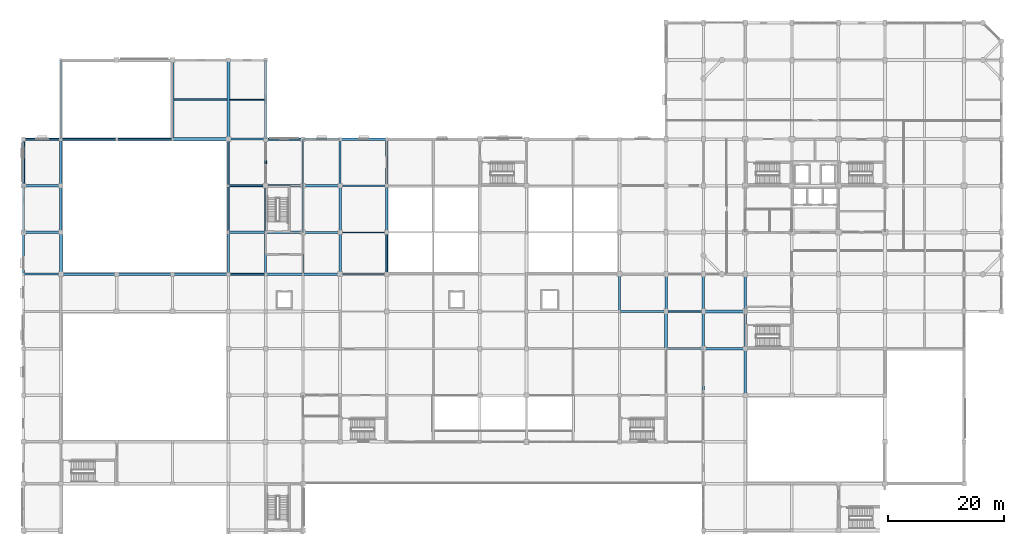
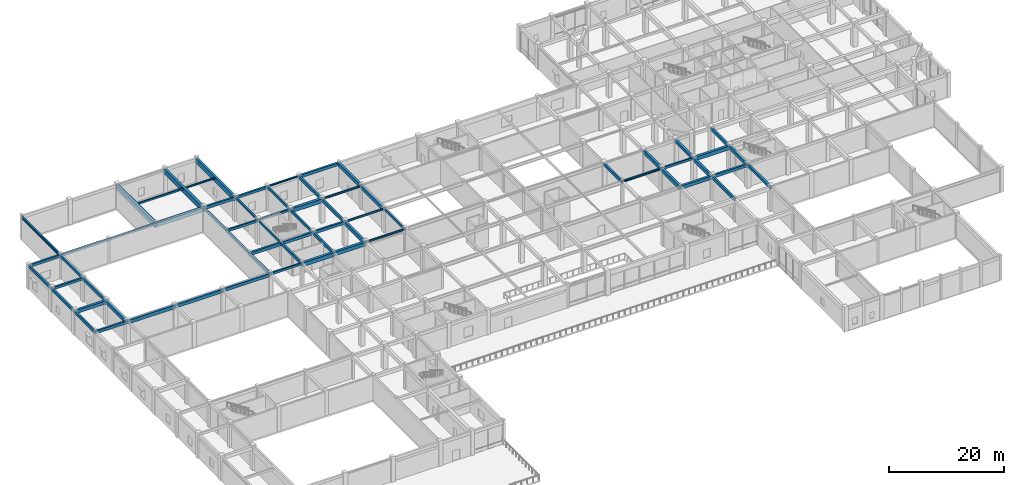
# One storey, part 10 of 36: 67 beams.
"""IFC4 building model written with IfcOpenShell, lengths in metres."""

from ifc_helpers import new_model, si_unit, direction, frame, origin, origin_2d, place, context, subcontext, project, spatial, rectangle, i_section, extrude, material, material_profile, profile_set, type_object, element, save


model = new_model("IFC4")

# Units and contexts
model_context = context("Model", 3, precision=1e-05, world=origin(), true_north=direction((0.0, 1.0)))
body_context = subcontext(model_context, "Body", "Model", "MODEL_VIEW")
ifc_project = project(units=[si_unit("LENGTHUNIT", "METRE"), si_unit("AREAUNIT", "SQUARE_METRE"), si_unit("VOLUMEUNIT", "CUBIC_METRE"), si_unit("PLANEANGLEUNIT", "RADIAN"), si_unit("MASSUNIT", "GRAM", prefix="KILO")], contexts=[model_context])

# Site, building, storey
site_placement = place(None, origin())
site = spatial("IfcSite", under=ifc_project, at=site_placement, CompositionType="ELEMENT")
building_placement = place(site_placement, origin())
building = spatial("IfcBuilding", under=site, at=building_placement, Name="Vellmiral Cinema and Media Centre", CompositionType="ELEMENT")
storey_placement = place(building_placement, frame((0.0, 0.0, 5.39990234375)))
storey = spatial("IfcBuildingStorey", under=building, at=storey_placement, Name="L01", CompositionType="ELEMENT", Elevation=5.39990234375)

# Beams
ifc_material_1 = material(Name="Concrete C40/50", Category="concrete")
ifc_material_profile_1 = material_profile(ifc_material_1, rectangle(XDim=0.300048828125, YDim=0.449951171875, at=origin_2d()), Name="RC 300x450")
ifc_profile_set_1 = profile_set([ifc_material_profile_1], Name="Concrete C40/50")
beam_type_1 = type_object("IfcBeamType", Name="BM-RC-300x450", PredefinedType="BEAM", material=ifc_profile_set_1)
for number, where, z_axis, x_axis, name in (
    (1, (110.39990234375, 65.60009765625, 4.81005859375), (1.0, 0.0, 0.0), (0.0, 1.0, 0.0), "Grid Beam L01-X084"),
    (2, (35.199951171875, 72.0, 4.81005859375), (1.0, 0.0, 0.0), (0.0, 1.0, 0.0), "Grid Beam L01-X095"),
):
    element("IfcBeam", number, at=place(storey_placement, frame(where, z_axis=z_axis, x_axis=x_axis)), inside=storey, type_object=beam_type_1, Name=name, PredefinedType="BEAM", context=body_context, shape_type="SweptSolid", body=[
        extrude(rectangle(XDim=0.300048828125, YDim=0.449951171875, at=origin_2d()), origin(), (0.0, 0.0, 1.0), 6.400146484375),
    ])
beam_1_placement = place(storey_placement, frame((41.60009765625, 87.199951171875, 4.81005859375), z_axis=(1.0, 0.0, 0.0), x_axis=(0.0, 1.0, 0.0)))
element("IfcBeam", 3, at=beam_1_placement, inside=storey, type_object=beam_type_1, Name="Grid Beam L01-X128", PredefinedType="BEAM", context=body_context, shape_type="SweptSolid", body=[
    extrude(rectangle(XDim=0.300048828125, YDim=0.449951171875, at=origin_2d()), origin(), (0.0, 0.0, 1.0), 6.39990234375),
])
beam_2_placement = place(storey_placement, frame((16.0, 95.199951171875, 4.81005859375), z_axis=(1.0, 0.0, 0.0), x_axis=(0.0, 1.0, 0.0)))
element("IfcBeam", 4, at=beam_2_placement, inside=storey, type_object=beam_type_1, Name="Grid Beam L01-X144", PredefinedType="BEAM", context=body_context, shape_type="SweptSolid", body=[
    extrude(rectangle(XDim=0.300048828125, YDim=0.449951171875, at=origin_2d()), origin(), (0.0, 0.0, 1.0), 9.60009765625),
])
for number, where, z_axis, x_axis, name in (
    (5, (35.199951171875, 87.199951171875, 4.81005859375), (0.0, 1.0, 0.0), (-1.0, 0.0, 0.0), "Grid Beam L01-Y213"),
    (6, (41.60009765625, 87.199951171875, 4.81005859375), (0.0, 1.0, 0.0), (-1.0, 0.0, 0.0), "Grid Beam L01-Y224"),
    (7, (48.0, 87.199951171875, 4.81005859375), (0.0, 1.0, 0.0), (-1.0, 0.0, 0.0), "Grid Beam L01-Y235"),
):
    element("IfcBeam", number, at=place(storey_placement, frame(where, z_axis=z_axis, x_axis=x_axis)), inside=storey, type_object=beam_type_1, Name=name, PredefinedType="BEAM", context=body_context, shape_type="SweptSolid", body=[
        extrude(rectangle(XDim=0.300048828125, YDim=0.449951171875, at=origin_2d()), origin(), (0.0, 0.0, 1.0), 8.0),
    ])
ifc_material_2 = material(Name="Concrete C40/50", Category="concrete")
ifc_material_profile_2 = material_profile(ifc_material_2, rectangle(XDim=0.300048828125, YDim=0.5, at=origin_2d()), Name="RC 300x500")
ifc_profile_set_2 = profile_set([ifc_material_profile_2], Name="Concrete C40/50")
beam_type_2 = type_object("IfcBeamType", Name="BM-RC-300x500", PredefinedType="BEAM", material=ifc_profile_set_2)
beam_3_placement = place(storey_placement, frame((35.199951171875, 87.199951171875, 4.78515625), z_axis=(1.0, 0.0, 0.0), x_axis=(0.0, 1.0, 0.0)))
element("IfcBeam", 8, at=beam_3_placement, inside=storey, type_object=beam_type_2, Name="Grid Beam L01-X127", PredefinedType="BEAM", context=body_context, shape_type="SweptSolid", body=[
    extrude(rectangle(XDim=0.300048828125, YDim=0.5, at=origin_2d()), origin(), (0.0, 0.0, 1.0), 6.400146484375),
])
beam_4_placement = place(storey_placement, frame((6.39990234375, 95.199951171875, 4.78515625), z_axis=(1.0, 0.0, 0.0), x_axis=(0.0, 1.0, 0.0)))
element("IfcBeam", 9, at=beam_4_placement, inside=storey, type_object=beam_type_2, Name="Grid Beam L01-X143", PredefinedType="BEAM", context=body_context, shape_type="SweptSolid", body=[
    extrude(rectangle(XDim=0.300048828125, YDim=0.5, at=origin_2d()), origin(), (0.0, 0.0, 1.0), 9.60009765625),
])
for number, where, z_axis, x_axis, name in (
    (10, (35.199951171875, 79.199951171875, 4.78515625), (0.0, 1.0, 0.0), (-1.0, 0.0, 0.0), "Grid Beam L01-Y212"),
    (11, (41.60009765625, 79.199951171875, 4.78515625), (0.0, 1.0, 0.0), (-1.0, 0.0, 0.0), "Grid Beam L01-Y223"),
    (12, (48.0, 79.199951171875, 4.78515625), (0.0, 1.0, 0.0), (-1.0, 0.0, 0.0), "Grid Beam L01-Y234"),
):
    element("IfcBeam", number, at=place(storey_placement, frame(where, z_axis=z_axis, x_axis=x_axis)), inside=storey, type_object=beam_type_2, Name=name, PredefinedType="BEAM", context=body_context, shape_type="SweptSolid", body=[
        extrude(rectangle(XDim=0.300048828125, YDim=0.5, at=origin_2d()), origin(), (0.0, 0.0, 1.0), 8.0),
    ])
beam_5_placement = place(storey_placement, frame((62.39990234375, 72.0, 4.78515625), z_axis=(0.0, 1.0, 0.0), x_axis=(-1.0, 0.0, 0.0)))
element("IfcBeam", 13, at=beam_5_placement, inside=storey, type_object=beam_type_2, Name="Grid Beam L01-Y247", PredefinedType="BEAM", context=body_context, shape_type="SweptSolid", body=[
    extrude(rectangle(XDim=0.300048828125, YDim=0.5, at=origin_2d()), origin(), (0.0, 0.0, 1.0), 7.199951171875),
])
ifc_material_3 = material(Name="Concrete C40/50", Category="concrete")
ifc_material_profile_3 = material_profile(ifc_material_3, rectangle(XDim=0.35009765625, YDim=0.5, at=origin_2d()), Name="RC 350x500")
ifc_profile_set_3 = profile_set([ifc_material_profile_3], Name="Concrete C40/50")
beam_type_3 = type_object("IfcBeamType", Name="BM-RC-350x500", PredefinedType="BEAM", material=ifc_profile_set_3)
beam_6_placement = place(storey_placement, frame((0.0, 87.199951171875, 4.78515625), z_axis=(1.0, 0.0, 0.0), x_axis=(0.0, 1.0, 0.0)))
element("IfcBeam", 14, at=beam_6_placement, inside=storey, type_object=beam_type_3, Name="Grid Beam L01-X126", PredefinedType="BEAM", context=body_context, shape_type="SweptSolid", body=[
    extrude(rectangle(XDim=0.35009765625, YDim=0.5, at=origin_2d()), origin(), (0.0, 0.0, 1.0), 6.39990234375),
])
ifc_material_4 = material(Name="Concrete C40/50", Category="concrete")
ifc_material_profile_4 = material_profile(ifc_material_4, rectangle(XDim=0.35009765625, YDim=0.60009765625, at=origin_2d()), Name="RC 350x600")
ifc_profile_set_4 = profile_set([ifc_material_profile_4], Name="Concrete C40/50")
beam_type_4 = type_object("IfcBeamType", Name="BM-RC-350x600", PredefinedType="BEAM", material=ifc_profile_set_4)
for number, where, z_axis, x_axis, name in (
    (15, (0.0, 72.0, 4.735107421875), (1.0, 0.0, 0.0), (0.0, 1.0, 0.0), "Grid Beam L01-X091"),
    (16, (48.0, 79.199951171875, 4.735107421875), (1.0, 0.0, 0.0), (0.0, 1.0, 0.0), "Grid Beam L01-X113"),
):
    element("IfcBeam", number, at=place(storey_placement, frame(where, z_axis=z_axis, x_axis=x_axis)), inside=storey, type_object=beam_type_4, Name=name, PredefinedType="BEAM", context=body_context, shape_type="SweptSolid", body=[
        extrude(rectangle(XDim=0.35009765625, YDim=0.60009765625, at=origin_2d()), origin(), (0.0, 0.0, 1.0), 6.39990234375),
    ])
beam_7_placement = place(storey_placement, frame((35.199951171875, 95.199951171875, 4.735107421875), z_axis=(1.0, 0.0, 0.0), x_axis=(0.0, 1.0, 0.0)))
element("IfcBeam", 17, at=beam_7_placement, inside=storey, type_object=beam_type_4, Name="Grid Beam L01-X146", PredefinedType="BEAM", context=body_context, shape_type="SweptSolid", body=[
    extrude(rectangle(XDim=0.35009765625, YDim=0.60009765625, at=origin_2d()), origin(), (0.0, 0.0, 1.0), 6.400146484375),
])
for number, where, z_axis, x_axis, name in (
    (18, (35.199951171875, 72.0, 4.735107421875), (0.0, 1.0, 0.0), (-1.0, 0.0, 0.0), "Grid Beam L01-Y211"),
    (19, (41.60009765625, 72.0, 4.735107421875), (0.0, 1.0, 0.0), (-1.0, 0.0, 0.0), "Grid Beam L01-Y222"),
    (20, (48.0, 72.0, 4.735107421875), (0.0, 1.0, 0.0), (-1.0, 0.0, 0.0), "Grid Beam L01-Y233"),
):
    element("IfcBeam", number, at=place(storey_placement, frame(where, z_axis=z_axis, x_axis=x_axis)), inside=storey, type_object=beam_type_4, Name=name, PredefinedType="BEAM", context=body_context, shape_type="SweptSolid", body=[
        extrude(rectangle(XDim=0.35009765625, YDim=0.60009765625, at=origin_2d()), origin(), (0.0, 0.0, 1.0), 7.199951171875),
    ])
beam_8_placement = place(storey_placement, frame((54.39990234375, 87.199951171875, 4.735107421875), z_axis=(0.0, 1.0, 0.0), x_axis=(-1.0, 0.0, 0.0)))
element("IfcBeam", 21, at=beam_8_placement, inside=storey, type_object=beam_type_4, Name="Grid Beam L01-Y242", PredefinedType="BEAM", context=body_context, shape_type="SweptSolid", body=[
    extrude(rectangle(XDim=0.35009765625, YDim=0.60009765625, at=origin_2d()), origin(), (0.0, 0.0, 1.0), 8.0),
])
beam_9_placement = place(storey_placement, frame((102.39990234375, 65.60009765625, 4.735107421875), z_axis=(0.0, 1.0, 0.0), x_axis=(-1.0, 0.0, 0.0)))
element("IfcBeam", 22, at=beam_9_placement, inside=storey, type_object=beam_type_4, Name="Grid Beam L01-Y267", PredefinedType="BEAM", context=body_context, shape_type="SweptSolid", body=[
    extrude(rectangle(XDim=0.35009765625, YDim=0.60009765625, at=origin_2d()), origin(), (0.0, 0.0, 1.0), 6.39990234375),
])
ifc_material_5 = material(Name="Concrete C40/50", Category="concrete")
ifc_material_profile_5 = material_profile(ifc_material_5, rectangle(XDim=0.39990234375, YDim=0.60009765625, at=origin_2d()), Name="RC 400x600")
ifc_profile_set_5 = profile_set([ifc_material_profile_5], Name="Concrete C40/50")
beam_type_5 = type_object("IfcBeamType", Name="BM-RC-400x600", PredefinedType="BEAM", material=ifc_profile_set_5)
beam_10_placement = place(storey_placement, frame((116.800048828125, 59.199951171875, 4.735107421875), z_axis=(1.0, 0.0, 0.0), x_axis=(0.0, 1.0, 0.0)))
element("IfcBeam", 23, at=beam_10_placement, inside=storey, type_object=beam_type_5, Name="Grid Beam L01-X067", PredefinedType="BEAM", context=body_context, shape_type="SweptSolid", body=[
    extrude(rectangle(XDim=0.39990234375, YDim=0.60009765625, at=origin_2d()), origin(), (0.0, 0.0, 1.0), 7.199951171875),
])
beam_11_placement = place(storey_placement, frame((41.60009765625, 79.199951171875, 4.735107421875), z_axis=(1.0, 0.0, 0.0), x_axis=(0.0, 1.0, 0.0)))
element("IfcBeam", 24, at=beam_11_placement, inside=storey, type_object=beam_type_5, Name="Grid Beam L01-X112", PredefinedType="BEAM", context=body_context, shape_type="SweptSolid", body=[
    extrude(rectangle(XDim=0.39990234375, YDim=0.60009765625, at=origin_2d()), origin(), (0.0, 0.0, 1.0), 6.39990234375),
])
for number, where, z_axis, x_axis, name in (
    (25, (6.39990234375, 87.199951171875, 4.735107421875), (0.0, 1.0, 0.0), (-1.0, 0.0, 0.0), "Grid Beam L01-Y197"),
    (26, (54.39990234375, 79.199951171875, 4.735107421875), (0.0, 1.0, 0.0), (-1.0, 0.0, 0.0), "Grid Beam L01-Y241"),
    (27, (124.0, 51.199951171875, 4.735107421875), (0.0, 1.0, 0.0), (-1.0, 0.0, 0.0), "Grid Beam L01-Y296"),
):
    element("IfcBeam", number, at=place(storey_placement, frame(where, z_axis=z_axis, x_axis=x_axis)), inside=storey, type_object=beam_type_5, Name=name, PredefinedType="BEAM", context=body_context, shape_type="SweptSolid", body=[
        extrude(rectangle(XDim=0.39990234375, YDim=0.60009765625, at=origin_2d()), origin(), (0.0, 0.0, 1.0), 8.0),
    ])
ifc_material_6 = material(Name="Concrete C40/50", Category="concrete")
ifc_material_profile_6 = material_profile(ifc_material_6, rectangle(XDim=0.39990234375, YDim=0.64990234375, at=origin_2d()), Name="RC 400x650")
ifc_profile_set_6 = profile_set([ifc_material_profile_6], Name="Concrete C40/50")
beam_type_6 = type_object("IfcBeamType", Name="BM-RC-400x650", PredefinedType="BEAM", material=ifc_profile_set_6)
beam_12_placement = place(storey_placement, frame((25.60009765625, 72.0, 4.710205078125), z_axis=(1.0, 0.0, 0.0), x_axis=(0.0, 1.0, 0.0)))
element("IfcBeam", 28, at=beam_12_placement, inside=storey, type_object=beam_type_6, Name="Grid Beam L01-X094", PredefinedType="BEAM", context=body_context, shape_type="SweptSolid", body=[
    extrude(rectangle(XDim=0.39990234375, YDim=0.64990234375, at=origin_2d()), origin(), (0.0, 0.0, 1.0), 9.599853515625),
])
beam_13_placement = place(storey_placement, frame((35.199951171875, 79.199951171875, 4.710205078125), z_axis=(1.0, 0.0, 0.0), x_axis=(0.0, 1.0, 0.0)))
element("IfcBeam", 29, at=beam_13_placement, inside=storey, type_object=beam_type_6, Name="Grid Beam L01-X111", PredefinedType="BEAM", context=body_context, shape_type="SweptSolid", body=[
    extrude(rectangle(XDim=0.39990234375, YDim=0.64990234375, at=origin_2d()), origin(), (0.0, 0.0, 1.0), 6.400146484375),
])
for number, where, z_axis, x_axis, name in (
    (30, (6.39990234375, 79.199951171875, 4.710205078125), (0.0, 1.0, 0.0), (-1.0, 0.0, 0.0), "Grid Beam L01-Y196"),
    (31, (116.800048828125, 51.199951171875, 4.710205078125), (0.0, 1.0, 0.0), (-1.0, 0.0, 0.0), "Grid Beam L01-Y284"),
):
    element("IfcBeam", number, at=place(storey_placement, frame(where, z_axis=z_axis, x_axis=x_axis)), inside=storey, type_object=beam_type_6, Name=name, PredefinedType="BEAM", context=body_context, shape_type="SweptSolid", body=[
        extrude(rectangle(XDim=0.39990234375, YDim=0.64990234375, at=origin_2d()), origin(), (0.0, 0.0, 1.0), 8.0),
    ])
beam_14_placement = place(storey_placement, frame((124.0, 65.60009765625, 4.710205078125), z_axis=(0.0, 1.0, 0.0), x_axis=(-1.0, 0.0, 0.0)))
element("IfcBeam", 32, at=beam_14_placement, inside=storey, type_object=beam_type_6, Name="Grid Beam L01-Y298", PredefinedType="BEAM", context=body_context, shape_type="SweptSolid", body=[
    extrude(rectangle(XDim=0.39990234375, YDim=0.64990234375, at=origin_2d()), origin(), (0.0, 0.0, 1.0), 6.39990234375),
])
ifc_material_7 = material(Name="Concrete C40/50", Category="concrete")
ifc_material_profile_7 = material_profile(ifc_material_7, rectangle(XDim=0.449951171875, YDim=0.699951171875, at=origin_2d()), Name="RC 450x700")
ifc_profile_set_7 = profile_set([ifc_material_profile_7], Name="Concrete C40/50")
beam_type_7 = type_object("IfcBeamType", Name="BM-RC-450x700", PredefinedType="BEAM", material=ifc_profile_set_7)
beam_15_placement = place(storey_placement, frame((110.39990234375, 59.199951171875, 4.68505859375), z_axis=(1.0, 0.0, 0.0), x_axis=(0.0, 1.0, 0.0)))
element("IfcBeam", 33, at=beam_15_placement, inside=storey, type_object=beam_type_7, Name="Grid Beam L01-X066", PredefinedType="BEAM", context=body_context, shape_type="SweptSolid", body=[
    extrude(rectangle(XDim=0.449951171875, YDim=0.699951171875, at=origin_2d()), origin(), (0.0, 0.0, 1.0), 6.400146484375),
])
beam_16_placement = place(storey_placement, frame((16.0, 72.0, 4.68505859375), z_axis=(1.0, 0.0, 0.0), x_axis=(0.0, 1.0, 0.0)))
element("IfcBeam", 34, at=beam_16_placement, inside=storey, type_object=beam_type_7, Name="Grid Beam L01-X093", PredefinedType="BEAM", context=body_context, shape_type="SweptSolid", body=[
    extrude(rectangle(XDim=0.449951171875, YDim=0.699951171875, at=origin_2d()), origin(), (0.0, 0.0, 1.0), 9.60009765625),
])
for number, where, z_axis, x_axis, name in (
    (35, (0.0, 79.199951171875, 4.68505859375), (1.0, 0.0, 0.0), (0.0, 1.0, 0.0), "Grid Beam L01-X110"),
    (36, (116.800048828125, 65.60009765625, 4.68505859375), (0.0, 1.0, 0.0), (-1.0, 0.0, 0.0), "Grid Beam L01-Y286"),
):
    element("IfcBeam", number, at=place(storey_placement, frame(where, z_axis=z_axis, x_axis=x_axis)), inside=storey, type_object=beam_type_7, Name=name, PredefinedType="BEAM", context=body_context, shape_type="SweptSolid", body=[
        extrude(rectangle(XDim=0.449951171875, YDim=0.699951171875, at=origin_2d()), origin(), (0.0, 0.0, 1.0), 6.39990234375),
    ])
beam_17_placement = place(storey_placement, frame((124.0, 59.199951171875, 4.68505859375), z_axis=(0.0, 1.0, 0.0), x_axis=(-1.0, 0.0, 0.0)))
element("IfcBeam", 37, at=beam_17_placement, inside=storey, type_object=beam_type_7, Name="Grid Beam L01-Y297", PredefinedType="BEAM", context=body_context, shape_type="SweptSolid", body=[
    extrude(rectangle(XDim=0.449951171875, YDim=0.699951171875, at=origin_2d()), origin(), (0.0, 0.0, 1.0), 6.400146484375),
])
ifc_material_8 = material(Name="Concrete C40/50", Category="concrete")
ifc_material_profile_8 = material_profile(ifc_material_8, rectangle(XDim=0.449951171875, YDim=0.75, at=origin_2d()), Name="RC 450x750")
ifc_profile_set_8 = profile_set([ifc_material_profile_8], Name="Concrete C40/50")
beam_type_8 = type_object("IfcBeamType", Name="BM-RC-450x750", PredefinedType="BEAM", material=ifc_profile_set_8)
beam_18_placement = place(storey_placement, frame((6.39990234375, 72.0, 4.66015625), z_axis=(1.0, 0.0, 0.0), x_axis=(0.0, 1.0, 0.0)))
element("IfcBeam", 38, at=beam_18_placement, inside=storey, type_object=beam_type_8, Name="Grid Beam L01-X092", PredefinedType="BEAM", context=body_context, shape_type="SweptSolid", body=[
    extrude(rectangle(XDim=0.449951171875, YDim=0.75, at=origin_2d()), origin(), (0.0, 0.0, 1.0), 9.60009765625),
])
beam_19_placement = place(storey_placement, frame((54.39990234375, 72.0, 4.66015625), z_axis=(0.0, 1.0, 0.0), x_axis=(-1.0, 0.0, 0.0)))
element("IfcBeam", 39, at=beam_19_placement, inside=storey, type_object=beam_type_8, Name="Grid Beam L01-Y240", PredefinedType="BEAM", context=body_context, shape_type="SweptSolid", body=[
    extrude(rectangle(XDim=0.449951171875, YDim=0.75, at=origin_2d()), origin(), (0.0, 0.0, 1.0), 7.199951171875),
])
beam_20_placement = place(storey_placement, frame((62.39990234375, 87.199951171875, 4.66015625), z_axis=(0.0, 1.0, 0.0), x_axis=(-1.0, 0.0, 0.0)))
element("IfcBeam", 40, at=beam_20_placement, inside=storey, type_object=beam_type_8, Name="Grid Beam L01-Y249", PredefinedType="BEAM", context=body_context, shape_type="SweptSolid", body=[
    extrude(rectangle(XDim=0.449951171875, YDim=0.75, at=origin_2d()), origin(), (0.0, 0.0, 1.0), 8.0),
])
beam_21_placement = place(storey_placement, frame((110.39990234375, 65.60009765625, 4.66015625), z_axis=(0.0, 1.0, 0.0), x_axis=(-1.0, 0.0, 0.0)))
element("IfcBeam", 41, at=beam_21_placement, inside=storey, type_object=beam_type_8, Name="Grid Beam L01-Y274", PredefinedType="BEAM", context=body_context, shape_type="SweptSolid", body=[
    extrude(rectangle(XDim=0.449951171875, YDim=0.75, at=origin_2d()), origin(), (0.0, 0.0, 1.0), 6.39990234375),
])
beam_22_placement = place(storey_placement, frame((116.800048828125, 59.199951171875, 4.66015625), z_axis=(0.0, 1.0, 0.0), x_axis=(-1.0, 0.0, 0.0)))
element("IfcBeam", 42, at=beam_22_placement, inside=storey, type_object=beam_type_8, Name="Grid Beam L01-Y285", PredefinedType="BEAM", context=body_context, shape_type="SweptSolid", body=[
    extrude(rectangle(XDim=0.449951171875, YDim=0.75, at=origin_2d()), origin(), (0.0, 0.0, 1.0), 6.400146484375),
])
ifc_material_9 = material(Name="Concrete C40/50", Category="concrete")
ifc_material_profile_9 = material_profile(ifc_material_9, rectangle(XDim=0.5, YDim=0.800048828125, at=origin_2d()), Name="RC 500x800")
ifc_profile_set_9 = profile_set([ifc_material_profile_9], Name="Concrete C40/50")
beam_type_9 = type_object("IfcBeamType", Name="BM-RC-500x800", PredefinedType="BEAM", material=ifc_profile_set_9)
beam_23_placement = place(storey_placement, frame((116.800048828125, 65.60009765625, 4.635009765625), z_axis=(1.0, 0.0, 0.0), x_axis=(0.0, 1.0, 0.0)))
element("IfcBeam", 43, at=beam_23_placement, inside=storey, type_object=beam_type_9, Name="Grid Beam L01-X085", PredefinedType="BEAM", context=body_context, shape_type="SweptSolid", body=[
    extrude(rectangle(XDim=0.5, YDim=0.800048828125, at=origin_2d()), origin(), (0.0, 0.0, 1.0), 7.199951171875),
])
beam_24_placement = place(storey_placement, frame((48.0, 72.0, 4.635009765625), z_axis=(1.0, 0.0, 0.0), x_axis=(0.0, 1.0, 0.0)))
element("IfcBeam", 44, at=beam_24_placement, inside=storey, type_object=beam_type_9, Name="Grid Beam L01-X097", PredefinedType="BEAM", context=body_context, shape_type="SweptSolid", body=[
    extrude(rectangle(XDim=0.5, YDim=0.800048828125, at=origin_2d()), origin(), (0.0, 0.0, 1.0), 6.39990234375),
])
beam_25_placement = place(storey_placement, frame((6.39990234375, 72.0, 4.635009765625), z_axis=(0.0, 1.0, 0.0), x_axis=(-1.0, 0.0, 0.0)))
element("IfcBeam", 45, at=beam_25_placement, inside=storey, type_object=beam_type_9, Name="Grid Beam L01-Y195", PredefinedType="BEAM", context=body_context, shape_type="SweptSolid", body=[
    extrude(rectangle(XDim=0.5, YDim=0.800048828125, at=origin_2d()), origin(), (0.0, 0.0, 1.0), 7.199951171875),
])
beam_26_placement = place(storey_placement, frame((62.39990234375, 79.199951171875, 4.635009765625), z_axis=(0.0, 1.0, 0.0), x_axis=(-1.0, 0.0, 0.0)))
element("IfcBeam", 46, at=beam_26_placement, inside=storey, type_object=beam_type_9, Name="Grid Beam L01-Y248", PredefinedType="BEAM", context=body_context, shape_type="SweptSolid", body=[
    extrude(rectangle(XDim=0.5, YDim=0.800048828125, at=origin_2d()), origin(), (0.0, 0.0, 1.0), 8.0),
])
beam_27_placement = place(storey_placement, frame((110.39990234375, 59.199951171875, 4.635009765625), z_axis=(0.0, 1.0, 0.0), x_axis=(-1.0, 0.0, 0.0)))
element("IfcBeam", 47, at=beam_27_placement, inside=storey, type_object=beam_type_9, Name="Grid Beam L01-Y273", PredefinedType="BEAM", context=body_context, shape_type="SweptSolid", body=[
    extrude(rectangle(XDim=0.5, YDim=0.800048828125, at=origin_2d()), origin(), (0.0, 0.0, 1.0), 6.400146484375),
])
ifc_material_10 = material(Name="Concrete C40/50", Category="concrete")
ifc_material_profile_10 = material_profile(ifc_material_10, rectangle(XDim=0.5, YDim=0.85009765625, at=origin_2d()), Name="RC 500x850")
ifc_profile_set_10 = profile_set([ifc_material_profile_10], Name="Concrete C40/50")
beam_type_10 = type_object("IfcBeamType", Name="BM-RC-500x850", PredefinedType="BEAM", material=ifc_profile_set_10)
for number, where, z_axis, x_axis, name in (
    (48, (41.60009765625, 72.0, 4.610107421875), (1.0, 0.0, 0.0), (0.0, 1.0, 0.0), "Grid Beam L01-X096"),
    (49, (48.0, 87.199951171875, 4.610107421875), (1.0, 0.0, 0.0), (0.0, 1.0, 0.0), "Grid Beam L01-X129"),
):
    element("IfcBeam", number, at=place(storey_placement, frame(where, z_axis=z_axis, x_axis=x_axis)), inside=storey, type_object=beam_type_10, Name=name, PredefinedType="BEAM", context=body_context, shape_type="SweptSolid", body=[
        extrude(rectangle(XDim=0.5, YDim=0.85009765625, at=origin_2d()), origin(), (0.0, 0.0, 1.0), 6.39990234375),
    ])
beam_28_placement = place(storey_placement, frame((25.60009765625, 95.199951171875, 4.610107421875), z_axis=(1.0, 0.0, 0.0), x_axis=(0.0, 1.0, 0.0)))
element("IfcBeam", 50, at=beam_28_placement, inside=storey, type_object=beam_type_10, Name="Grid Beam L01-X145", PredefinedType="BEAM", context=body_context, shape_type="SweptSolid", body=[
    extrude(rectangle(XDim=0.5, YDim=0.85009765625, at=origin_2d()), origin(), (0.0, 0.0, 1.0), 9.599853515625),
])
ifc_material_11 = material(Name="Concrete C40/50", Category="concrete")
ifc_material_profile_11 = material_profile(ifc_material_11, rectangle(XDim=0.5, YDim=1.050048828125, at=origin_2d()), Name="RC 500x1050")
ifc_profile_set_11 = profile_set([ifc_material_profile_11], Name="Concrete C40/50")
beam_type_11 = type_object("IfcBeamType", Name="BM-RCG-500x1050", PredefinedType="BEAM", material=ifc_profile_set_11)
for number, where, z_axis, x_axis, name in (
    (51, (25.60009765625, 95.199951171875, 4.510009765625), (0.0, 1.0, 0.0), (-1.0, 0.0, 0.0), "Grid Beam L01-Y203"),
    (52, (35.199951171875, 95.199951171875, 4.510009765625), (0.0, 1.0, 0.0), (-1.0, 0.0, 0.0), "Grid Beam L01-Y214"),
):
    element("IfcBeam", number, at=place(storey_placement, frame(where, z_axis=z_axis, x_axis=x_axis)), inside=storey, type_object=beam_type_11, Name=name, PredefinedType="BEAM", context=body_context, shape_type="SweptSolid", body=[
        extrude(rectangle(XDim=0.5, YDim=1.050048828125, at=origin_2d()), origin(), (0.0, 0.0, 1.0), 13.60009765625),
    ])
ifc_material_12 = material(Name="Concrete C40/50", Category="concrete")
ifc_material_profile_12 = material_profile(ifc_material_12, rectangle(XDim=0.25, YDim=0.35009765625, at=origin_2d()), Name="RC 250x350")
ifc_profile_set_12 = profile_set([ifc_material_profile_12], Name="Concrete C40/50")
beam_type_12 = type_object("IfcBeamType", Name="JST-RC-250x350", PredefinedType="JOIST", material=ifc_profile_set_12)
beam_29_placement = place(storey_placement, frame((25.85009765625, 102.0, 4.860107421875), z_axis=(1.0, 0.0, 0.0), x_axis=(0.0, 1.0, 0.0)))
element("IfcBeam", 53, at=beam_29_placement, inside=storey, type_object=beam_type_12, Name="Secondary Floor Joist L01-002", PredefinedType="JOIST", context=body_context, shape_type="SweptSolid", body=[
    extrude(rectangle(XDim=0.25, YDim=0.35009765625, at=origin_2d()), origin(), (0.0, 0.0, 1.0), 9.099853515625),
])
ifc_material_13 = material(Name="Steel S355", Category="steel")
ifc_material_profile_13 = material_profile(ifc_material_13, i_section(OverallWidth=0.300048828125, OverallDepth=0.389892578125, WebThickness=0.010986328125, FlangeThickness=0.01904296875, FilletRadius=0.027099609375, at=origin_2d()), Name="HEA 400")
ifc_profile_set_13 = profile_set([ifc_material_profile_13], Name="Steel S355")
beam_type_13 = type_object("IfcBeamType", Name="SBM-HEA400", PredefinedType="BEAM", material=ifc_profile_set_13)
beam_30_placement = place(storey_placement, frame((102.39990234375, 65.60009765625, 4.840087890625), z_axis=(1.0, 0.0, 0.0), x_axis=(0.0, 1.0, 0.0)))
element("IfcBeam", 54, at=beam_30_placement, inside=storey, type_object=beam_type_13, Name="Grid Beam L01-X083", PredefinedType="BEAM", context=body_context, shape_type="SweptSolid", body=[
    extrude(i_section(OverallWidth=0.300048828125, OverallDepth=0.389892578125, WebThickness=0.010986328125, FlangeThickness=0.01904296875, FilletRadius=0.027099609375, at=origin_2d()), origin(), (0.0, 0.0, 1.0), 8.0),
])
ifc_material_14 = material(Name="Steel S355", Category="steel")
ifc_material_profile_14 = material_profile(ifc_material_14, i_section(OverallWidth=0.300048828125, OverallDepth=0.300048828125, WebThickness=0.010986328125, FlangeThickness=0.01904296875, FilletRadius=0.027099609375, at=origin_2d()), Name="HEB 300")
ifc_profile_set_14 = profile_set([ifc_material_profile_14], Name="Steel S355")
beam_type_14 = type_object("IfcBeamType", Name="SBM-HEB300", PredefinedType="SPANDREL", material=ifc_profile_set_14)
beam_31_placement = place(storey_placement, frame((48.0, 95.199951171875, 4.885009765625), z_axis=(1.0, 0.0, 0.0), x_axis=(0.0, 1.0, 0.0)))
element("IfcBeam", 55, at=beam_31_placement, inside=storey, type_object=beam_type_14, Name="Grid Beam L01-X148", PredefinedType="SPANDREL", context=body_context, shape_type="SweptSolid", body=[
    extrude(i_section(OverallWidth=0.300048828125, OverallDepth=0.300048828125, WebThickness=0.010986328125, FlangeThickness=0.01904296875, FilletRadius=0.027099609375, at=origin_2d()), origin(), (0.0, 0.0, 1.0), 6.39990234375),
])
ifc_material_15 = material(Name="Steel S355", Category="steel")
ifc_material_profile_15 = material_profile(ifc_material_15, i_section(OverallWidth=0.300048828125, OverallDepth=0.60009765625, WebThickness=0.015380859375, FlangeThickness=0.030029296875, FilletRadius=0.027099609375, at=origin_2d()), Name="HEB 600")
ifc_profile_set_15 = profile_set([ifc_material_profile_15], Name="Steel S355")
beam_type_15 = type_object("IfcBeamType", Name="SBM-HEB600-SPD", PredefinedType="SPANDREL", material=ifc_profile_set_15)
beam_32_placement = place(storey_placement, frame((6.39990234375, 95.199951171875, 4.735107421875), z_axis=(0.0, 1.0, 0.0), x_axis=(-1.0, 0.0, 0.0)))
element("IfcBeam", 56, at=beam_32_placement, inside=storey, type_object=beam_type_15, Name="Grid Beam L01-Y198", PredefinedType="SPANDREL", context=body_context, shape_type="SweptSolid", body=[
    extrude(i_section(OverallWidth=0.300048828125, OverallDepth=0.60009765625, WebThickness=0.015380859375, FlangeThickness=0.030029296875, FilletRadius=0.027099609375, at=origin_2d()), origin(), (0.0, 0.0, 1.0), 13.60009765625),
])
ifc_material_16 = material(Name="Steel S355", Category="steel")
ifc_material_profile_16 = material_profile(ifc_material_16, i_section(OverallWidth=0.169921875, OverallDepth=0.360107421875, WebThickness=0.008056640625, FlangeThickness=0.0126953125, FilletRadius=0.01806640625, at=origin_2d()), Name="IPE 360")
ifc_profile_set_16 = profile_set([ifc_material_profile_16], Name="Steel S355")
beam_type_16 = type_object("IfcBeamType", Name="SBM-IPE360", PredefinedType="JOIST", material=ifc_profile_set_16)
beam_33_placement = place(storey_placement, frame((35.449951171875, 102.0, 4.85498046875), z_axis=(1.0, 0.0, 0.0), x_axis=(0.0, 1.0, 0.0)))
element("IfcBeam", 57, at=beam_33_placement, inside=storey, type_object=beam_type_16, Name="Secondary Floor Joist L01-004", PredefinedType="JOIST", context=body_context, shape_type="SweptSolid", body=[
    extrude(i_section(OverallWidth=0.169921875, OverallDepth=0.360107421875, WebThickness=0.008056640625, FlangeThickness=0.0126953125, FilletRadius=0.01806640625, at=origin_2d()), origin(), (0.0, 0.0, 1.0), 5.925048828125),
])
ifc_material_17 = material(Name="Steel S355", Category="steel")
ifc_material_profile_17 = material_profile(ifc_material_17, i_section(OverallWidth=0.179931640625, OverallDepth=0.39990234375, WebThickness=0.008544921875, FlangeThickness=0.013427734375, FilletRadius=0.02099609375, at=origin_2d()), Name="IPE 400")
ifc_profile_set_17 = profile_set([ifc_material_profile_17], Name="Steel S355")
beam_type_17 = type_object("IfcBeamType", Name="SBM-IPE400", PredefinedType="BEAM", material=ifc_profile_set_17)
for number, where, z_axis, x_axis, name in (
    (58, (54.39990234375, 72.0, 4.835205078125), (1.0, 0.0, 0.0), (0.0, 1.0, 0.0), "Grid Beam L01-X098"),
    (59, (54.39990234375, 79.199951171875, 4.835205078125), (1.0, 0.0, 0.0), (0.0, 1.0, 0.0), "Grid Beam L01-X114"),
    (60, (54.39990234375, 87.199951171875, 4.835205078125), (1.0, 0.0, 0.0), (0.0, 1.0, 0.0), "Grid Beam L01-X130"),
):
    element("IfcBeam", number, at=place(storey_placement, frame(where, z_axis=z_axis, x_axis=x_axis)), inside=storey, type_object=beam_type_17, Name=name, PredefinedType="BEAM", context=body_context, shape_type="SweptSolid", body=[
        extrude(i_section(OverallWidth=0.179931640625, OverallDepth=0.39990234375, WebThickness=0.008544921875, FlangeThickness=0.013427734375, FilletRadius=0.02099609375, at=origin_2d()), origin(), (0.0, 0.0, 1.0), 8.0),
    ])
ifc_material_18 = material(Name="Concrete C40/50", Category="concrete")
ifc_material_profile_18 = material_profile(ifc_material_18, rectangle(XDim=0.35009765625, YDim=0.56005859375, at=origin_2d()), Name="RC 350x560")
ifc_profile_set_18 = profile_set([ifc_material_profile_18], Name="Concrete C40/50")
beam_type_18 = type_object("IfcBeamType", Name="SPD-RC-350x560", PredefinedType="SPANDREL", material=ifc_profile_set_18)
beam_34_placement = place(storey_placement, frame((0.0, 72.0, 4.755126953125), z_axis=(0.0, 1.0, 0.0), x_axis=(-1.0, 0.0, 0.0)))
element("IfcBeam", 61, at=beam_34_placement, inside=storey, type_object=beam_type_18, Name="Grid Beam L01-Y185", PredefinedType="SPANDREL", context=body_context, shape_type="SweptSolid", body=[
    extrude(rectangle(XDim=0.35009765625, YDim=0.56005859375, at=origin_2d()), origin(), (0.0, 0.0, 1.0), 7.199951171875),
])
ifc_material_19 = material(Name="Concrete C40/50", Category="concrete")
ifc_material_profile_19 = material_profile(ifc_material_19, rectangle(XDim=0.39990234375, YDim=0.60009765625, at=origin_2d()), Name="RC 400x600")
ifc_profile_set_19 = profile_set([ifc_material_profile_19], Name="Concrete C40/50")
beam_type_19 = type_object("IfcBeamType", Name="SPD-RC-400x600", PredefinedType="SPANDREL", material=ifc_profile_set_19)
beam_35_placement = place(storey_placement, frame((54.39990234375, 95.199951171875, 4.735107421875), z_axis=(1.0, 0.0, 0.0), x_axis=(0.0, 1.0, 0.0)))
element("IfcBeam", 62, at=beam_35_placement, inside=storey, type_object=beam_type_19, Name="Grid Beam L01-X149", PredefinedType="SPANDREL", context=body_context, shape_type="SweptSolid", body=[
    extrude(rectangle(XDim=0.39990234375, YDim=0.60009765625, at=origin_2d()), origin(), (0.0, 0.0, 1.0), 8.0),
])
ifc_material_20 = material(Name="Concrete C40/50", Category="concrete")
ifc_material_profile_20 = material_profile(ifc_material_20, rectangle(XDim=0.449951171875, YDim=1.050048828125, at=origin_2d()), Name="RC 450x1050")
ifc_profile_set_20 = profile_set([ifc_material_profile_20], Name="Concrete C40/50")
beam_type_20 = type_object("IfcBeamType", Name="SPD-RCG-450x1050", PredefinedType="SPANDREL", material=ifc_profile_set_20)
beam_36_placement = place(storey_placement, frame((41.60009765625, 95.199951171875, 4.510009765625), z_axis=(0.0, 1.0, 0.0), x_axis=(-1.0, 0.0, 0.0)))
element("IfcBeam", 63, at=beam_36_placement, inside=storey, type_object=beam_type_20, Name="Grid Beam L01-Y225", PredefinedType="SPANDREL", context=body_context, shape_type="SweptSolid", body=[
    extrude(rectangle(XDim=0.449951171875, YDim=1.050048828125, at=origin_2d()), origin(), (0.0, 0.0, 1.0), 13.60009765625),
])
ifc_material_21 = material(Name="Vosges Red Sandstone Masonry", Category="masonry")
ifc_material_profile_21 = material_profile(ifc_material_21, rectangle(XDim=0.340087890625, YDim=0.52001953125, at=origin_2d()), Name="SAND 340x520")
ifc_profile_set_21 = profile_set([ifc_material_profile_21], Name="Vosges Red Sandstone Masonry")
beam_type_21 = type_object("IfcBeamType", Name="SPD-SAND-340x520", PredefinedType="SPANDREL", material=ifc_profile_set_21)
for number, where, z_axis, x_axis, name in (
    (64, (0.0, 95.199951171875, 4.775146484375), (1.0, 0.0, 0.0), (0.0, 1.0, 0.0), "Grid Beam L01-X142"),
    (65, (41.60009765625, 95.199951171875, 4.775146484375), (1.0, 0.0, 0.0), (0.0, 1.0, 0.0), "Grid Beam L01-X147"),
):
    element("IfcBeam", number, at=place(storey_placement, frame(where, z_axis=z_axis, x_axis=x_axis)), inside=storey, type_object=beam_type_21, Name=name, PredefinedType="SPANDREL", context=body_context, shape_type="SweptSolid", body=[
        extrude(rectangle(XDim=0.340087890625, YDim=0.52001953125, at=origin_2d()), origin(), (0.0, 0.0, 1.0), 6.39990234375),
    ])
beam_37_placement = place(storey_placement, frame((0.0, 87.199951171875, 4.775146484375), z_axis=(0.0, 1.0, 0.0), x_axis=(-1.0, 0.0, 0.0)))
element("IfcBeam", 66, at=beam_37_placement, inside=storey, type_object=beam_type_21, Name="Grid Beam L01-Y187", PredefinedType="SPANDREL", context=body_context, shape_type="SweptSolid", body=[
    extrude(rectangle(XDim=0.340087890625, YDim=0.52001953125, at=origin_2d()), origin(), (0.0, 0.0, 1.0), 8.0),
])
ifc_material_22 = material(Name="Vosges Red Sandstone Masonry", Category="masonry")
ifc_material_profile_22 = material_profile(ifc_material_22, rectangle(XDim=0.3798828125, YDim=0.580078125, at=origin_2d()), Name="SAND 380x580")
ifc_profile_set_22 = profile_set([ifc_material_profile_22], Name="Vosges Red Sandstone Masonry")
beam_type_22 = type_object("IfcBeamType", Name="SPD-SAND-380x580", PredefinedType="SPANDREL", material=ifc_profile_set_22)
beam_38_placement = place(storey_placement, frame((0.0, 79.199951171875, 4.7451171875), z_axis=(0.0, 1.0, 0.0), x_axis=(-1.0, 0.0, 0.0)))
element("IfcBeam", 67, at=beam_38_placement, inside=storey, type_object=beam_type_22, Name="Grid Beam L01-Y186", PredefinedType="SPANDREL", context=body_context, shape_type="SweptSolid", body=[
    extrude(rectangle(XDim=0.3798828125, YDim=0.580078125, at=origin_2d()), origin(), (0.0, 0.0, 1.0), 8.0),
])

save(model, "model.ifc")
